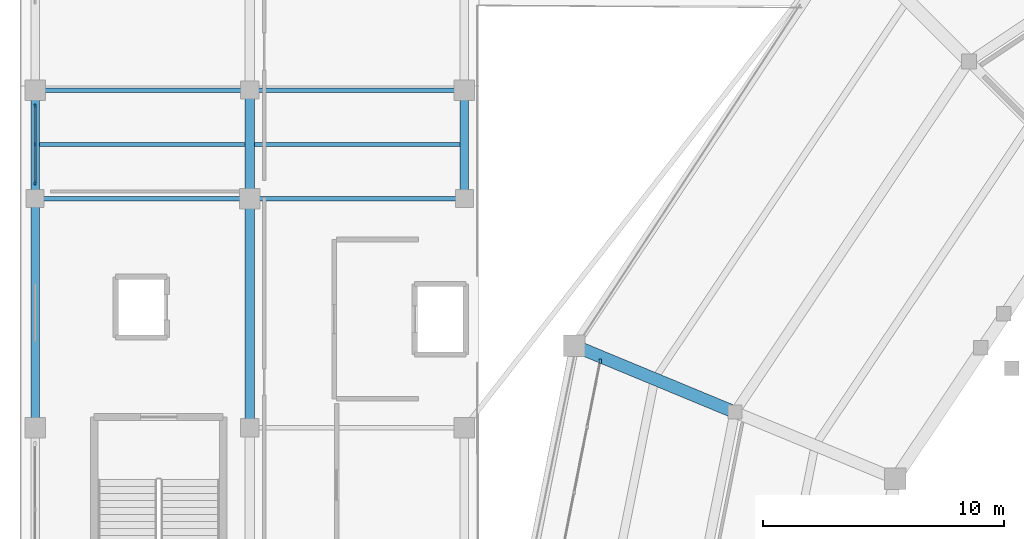
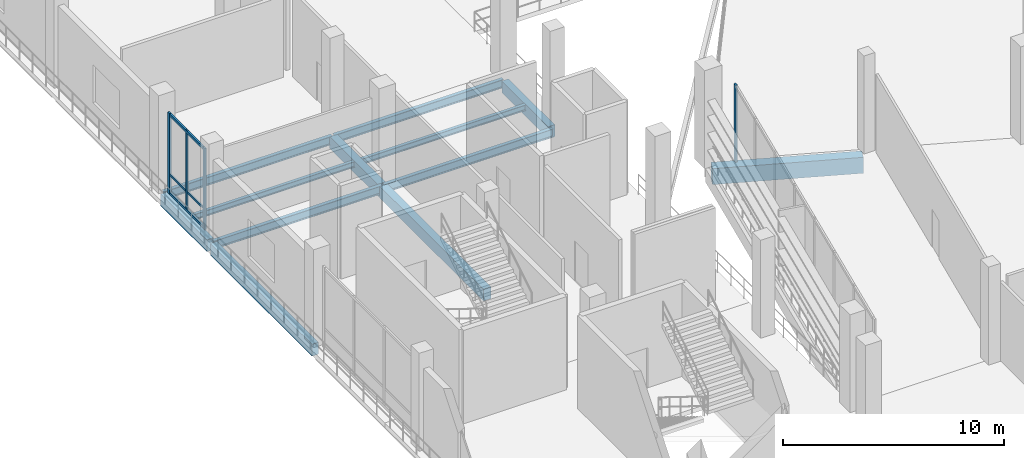
# One storey, part 31 of 114: 12 beams, 7 members, 2 elements without a shape of their own.
"""IFC4 building model written with IfcOpenShell, lengths in metres."""

import ifcopenshell
import ifcopenshell.guid

model = None  # the IFC model being written
_history = None  # IfcOwnerHistory: only IFC2X3 demands one
_inside = {}  # id of a spatial element -> (the spatial element, [elements in it])
_under = {}  # id of a project, library or spatial element -> (it, [spatial elements below it])
_declared = {}  # id of a project -> (the project, [libraries it declares])
_typed = {}  # id of a type object -> (the type object, [elements of that type])
_made_of = {}  # id of a material, layer set ... -> (it, [elements and type objects made of it])


def new_model(schema):
    """Start an empty IFC model of exactly this schema.

    Asked for "IFC4X3", IfcOpenShell would pick the latest addendum, in which some entities
    have other attributes; the version numbers below select the first issue.
    IFC2X3 requires an IfcOwnerHistory on every rooted entity: one is made here for all.
    """
    global model, _history
    if schema == "IFC4X3":
        model = ifcopenshell.file(schema_version=(4, 3, 0, 0))
    else:
        model = ifcopenshell.file(schema=schema)
    _inside.clear()
    _under.clear()
    _declared.clear()
    _typed.clear()
    _made_of.clear()
    _history = None
    if model.schema == "IFC2X3":
        org = make("IfcOrganization", Name="unknown")
        user = make(
            "IfcPersonAndOrganization",
            ThePerson=make("IfcPerson", FamilyName="unknown"),
            TheOrganization=org,
        )
        app = make(
            "IfcApplication",
            ApplicationDeveloper=org,
            Version="unknown",
            ApplicationFullName="unknown",
            ApplicationIdentifier="unknown",
        )
        _history = make(
            "IfcOwnerHistory",
            OwningUser=user,
            OwningApplication=app,
            ChangeAction="ADDED",
            CreationDate=0,
        )
    return model


def make(cls, **values):
    """One entity of the class cls with the attributes given. An attribute that is None is left unset."""
    return model.create_entity(
        cls, **{name: value for name, value in values.items() if value is not None}
    )


def rooted(cls, **values):
    """An entity with a GlobalId (a new one), such as an element, a storey or a relation."""
    return make(cls, GlobalId=ifcopenshell.guid.new(), OwnerHistory=_history, **values)


def si_unit(unit_type, name, prefix=None):
    """IfcSIUnit, for example si_unit("LENGTHUNIT", "METRE", prefix="MILLI")."""
    return make("IfcSIUnit", UnitType=unit_type, Prefix=prefix, Name=name)


def assignment(units):
    """IfcUnitAssignment: the units of a project."""
    return None if units is None else make("IfcUnitAssignment", Units=units)


def point(xyz):
    """IfcCartesianPoint."""
    return None if xyz is None else make("IfcCartesianPoint", Coordinates=xyz)


def direction(xyz):
    """IfcDirection."""
    return None if xyz is None else make("IfcDirection", DirectionRatios=xyz)


def frame(location, z_axis=None, x_axis=None):
    """IfcAxis2Placement3D, a coordinate frame: its origin and axes. An axis left out is left unset."""
    return make(
        "IfcAxis2Placement3D",
        Location=point(location),
        Axis=direction(z_axis),
        RefDirection=direction(x_axis),
    )


def frame_2d(location, x_axis=None):
    """IfcAxis2Placement2D, a coordinate frame in the plane: its origin and x axis."""
    return make(
        "IfcAxis2Placement2D", Location=point(location), RefDirection=direction(x_axis)
    )


def origin():
    """The frame at (0, 0, 0) with its axes left unset."""
    return frame((0.0, 0.0, 0.0))


def origin_2d():
    """The frame at (0, 0) in the plane with its x axis left unset."""
    return frame_2d((0.0, 0.0))


def place(relative_to, where):
    """IfcLocalPlacement: puts the frame where relative to a parent placement (None: the world)."""
    return make(
        "IfcLocalPlacement", PlacementRelTo=relative_to, RelativePlacement=where
    )


def context(
    kind, dimensions, precision=None, world=None, true_north=None, identifier=None
):
    """IfcGeometricRepresentationContext, for example the 3D "Model" context."""
    return make(
        "IfcGeometricRepresentationContext",
        ContextIdentifier=identifier,
        ContextType=kind,
        CoordinateSpaceDimension=dimensions,
        Precision=precision,
        WorldCoordinateSystem=world,
        TrueNorth=true_north,
    )


def subcontext(parent, identifier, kind, view, scale=None):
    """IfcGeometricRepresentationSubContext, for example "Body" below "Model"."""
    return make(
        "IfcGeometricRepresentationSubContext",
        ContextIdentifier=identifier,
        ContextType=kind,
        ParentContext=parent,
        TargetScale=scale,
        TargetView=view,
    )


def project(units=None, contexts=None):
    """IfcProject with its units and contexts."""
    return rooted(
        "IfcProject",
        Name="project",
        RepresentationContexts=contexts,
        UnitsInContext=assignment(units),
    )


def spatial(cls, under=None, at=None, **own):
    """A site, building, storey or space (cls), placed at a placement, below another one or the project."""
    s = rooted(cls, ObjectPlacement=at, **own)
    if under is not None:
        _under.setdefault(under.id(), (under, []))[1].append(s)
    return s


def profile(cls, at=None, kind="AREA", **sizes):
    """A parametric profile (cls). Its sizes go by their IFC names, for example OverallWidth=200.0."""
    return make(cls, ProfileType=kind, Position=at, **sizes)


def rectangle(**sizes):
    """IfcRectangleProfileDef."""
    return profile("IfcRectangleProfileDef", **sizes)


def i_section(**sizes):
    """IfcIShapeProfileDef."""
    return profile("IfcIShapeProfileDef", **sizes)


def extrude(swept, where, along, depth):
    """IfcExtrudedAreaSolid: the profile swept, set in the frame where, extruded along a direction by depth."""
    return make(
        "IfcExtrudedAreaSolid",
        SweptArea=swept,
        Position=where,
        ExtrudedDirection=direction(along),
        Depth=depth,
    )


def shape(context_of_items, identifier, shape_type, items):
    """IfcShapeRepresentation: the items that make up one representation, for example the "Body"."""
    return make(
        "IfcShapeRepresentation",
        ContextOfItems=context_of_items,
        RepresentationIdentifier=identifier,
        RepresentationType=shape_type,
        Items=items,
    )


def material(Name=None, Category=None):
    """IfcMaterial."""
    return make("IfcMaterial", Name=Name, Category=Category)


def material_profile(
    of_material, cross_section, Name=None, Category=None, Priority=None
):
    """IfcMaterialProfile: a cross section and its material."""
    return make(
        "IfcMaterialProfile",
        Name=Name,
        Material=of_material,
        Profile=cross_section,
        Priority=Priority,
        Category=Category,
    )


def profile_set(profiles, Name=None, composite=None):
    """IfcMaterialProfileSet."""
    return make(
        "IfcMaterialProfileSet",
        Name=Name,
        MaterialProfiles=profiles,
        CompositeProfile=composite,
    )


def made_of(thing, what):
    """Note that an element or type object is made of a material, layer set ...; save() writes the relation."""
    if what is not None:
        _made_of.setdefault(what.id(), (what, []))[1].append(thing)
    return thing


def type_object(cls, material=None, **own):
    """A type object (cls), such as IfcWallType, which elements share."""
    return made_of(rooted(cls, **own), material)


def element(
    cls,
    number,
    at=None,
    inside=None,
    cuts=None,
    type_object=None,
    material=None,
    context=None,
    identifier="Body",
    shape_type=None,
    held_by="IfcProductDefinitionShape",
    body=None,
    shapes=None,
    **own,
):
    """One element of the class cls, such as IfcWall. Its Tag is "e" and its number.

    at: its placement. inside: the storey or other place that contains it. cuts: it is an
    opening in that element (IfcRelVoidsElement). A single representation is given by context,
    identifier, shape_type and body (its items); several are given by shapes. held_by: the class
    of the entity that holds the representations. save() writes the other relations.
    """
    e = rooted(cls, Tag="e%d" % number, ObjectPlacement=at, **own)
    if body is not None:
        shapes = [shape(context, identifier, shape_type, body)]
    if shapes is not None:
        e.Representation = make(held_by, Representations=shapes)
    if inside is not None:
        _inside.setdefault(inside.id(), (inside, []))[1].append(e)
    if cuts is not None:
        rooted(
            "IfcRelVoidsElement", RelatingBuildingElement=cuts, RelatedOpeningElement=e
        )
    if type_object is not None:
        _typed.setdefault(type_object.id(), (type_object, []))[1].append(e)
    return made_of(e, material)


def aggregate(whole, parts):
    """IfcRelAggregates: a whole, such as a stair, and the parts it consists of."""
    return rooted("IfcRelAggregates", RelatingObject=whole, RelatedObjects=parts)


def save(model, path):
    """Write the relations noted so far, then the file.

    IfcRelAggregates (storeys below a building ...), IfcRelContainedInSpatialStructure (elements
    in a storey), IfcRelDefinesByType, IfcRelAssociatesMaterial and IfcRelDeclares: one each for
    every whole, place, type object, material and project.
    """
    for whole, parts in _under.values():
        aggregate(whole, parts)
    for where, things in _inside.values():
        rooted(
            "IfcRelContainedInSpatialStructure",
            RelatedElements=things,
            RelatingStructure=where,
        )
    for kind, things in _typed.values():
        rooted("IfcRelDefinesByType", RelatedObjects=things, RelatingType=kind)
    for what, things in _made_of.values():
        rooted("IfcRelAssociatesMaterial", RelatedObjects=things, RelatingMaterial=what)
    for by, libraries in _declared.values():
        rooted("IfcRelDeclares", RelatingContext=by, RelatedDefinitions=libraries)
    model.write(path)


model = new_model("IFC4")

# Units and contexts
model_context = context("Model", 3, precision=1e-05, world=origin(), true_north=direction((0.0, 1.0)))
body_context = subcontext(model_context, "Body", "Model", "MODEL_VIEW")
ifc_project = project(units=[si_unit("LENGTHUNIT", "METRE"), si_unit("AREAUNIT", "SQUARE_METRE"), si_unit("VOLUMEUNIT", "CUBIC_METRE"), si_unit("PLANEANGLEUNIT", "RADIAN"), si_unit("MASSUNIT", "GRAM", prefix="KILO")], contexts=[model_context])

# Site, building, storey
site_placement = place(None, origin())
site = spatial("IfcSite", under=ifc_project, at=site_placement, CompositionType="ELEMENT")
building_placement = place(site_placement, origin())
building = spatial("IfcBuilding", under=site, at=building_placement, Name="Candeia Ridge Stadium", CompositionType="ELEMENT")
storey_placement = place(building_placement, frame((0.0, 0.0, 5.39990234375)))
storey = spatial("IfcBuildingStorey", under=building, at=storey_placement, Name="L01", CompositionType="ELEMENT", Elevation=5.39990234375)

# Curtain wall, member
ifc_material_1 = material(Name="Aluminium Anodized Warm Bronze", Category="aluminium")
curtain_wall_type_1 = type_object("IfcCurtainWallType", Name="Concourse Recessed Unitised Curtain Wall", PredefinedType="NOTDEFINED", material=ifc_material_1)
curtain_wall_1_placement = place(storey_placement, origin())
curtain_wall_1 = element("IfcCurtainWall", 1, at=curtain_wall_1_placement, inside=storey, type_object=curtain_wall_type_1, Name="Unitised curtain wall CW-BWL-L01-10", PredefinedType="NOTDEFINED")
ifc_material_profile_1 = material_profile(ifc_material_1, rectangle(XDim=0.090087890625, YDim=0.179931640625, at=origin_2d()), Name="CWM-90x180", Category="aluminium")
ifc_profile_set_1 = profile_set([ifc_material_profile_1], Name="Aluminium Anodized Warm Bronze")
member_type_1 = type_object("IfcMemberType", Name="Curtain Wall Primary Mullion 90x180", PredefinedType="MULLION", material=ifc_profile_set_1)
member_1_placement = place(storey_placement, frame((24.03173828125, 114.263916015625, 0.0), z_axis=(0.0, 0.0, 1.0), x_axis=(1.0, 0.0, 0.0)))
member_1 = element("IfcMember", 2, at=member_1_placement, type_object=member_type_1, Name="Curtain wall mullion CW-BWL-L01-10-M0", PredefinedType="MULLION", context=body_context, shape_type="SweptSolid", body=[
    extrude(rectangle(XDim=0.090087890625, YDim=0.179931640625, at=origin_2d()), origin(), (0.0, 0.0, 1.0), 4.2451171875),
])
aggregate(curtain_wall_1, [member_1])

# Curtain wall, members
curtain_wall_type_2 = type_object("IfcCurtainWallType", Name="Cardinal Entrance Gate Tall Glazed Curtain Wall", PredefinedType="NOTDEFINED", material=ifc_material_1)
curtain_wall_2_placement = place(storey_placement, origin())
curtain_wall_2 = element("IfcCurtainWall", 3, at=curtain_wall_2_placement, inside=storey, type_object=curtain_wall_type_2, Name="Unitised curtain wall CW-WNG-L01-080", PredefinedType="NOTDEFINED")
member_2_placement = place(storey_placement, frame((0.60009765625, 121.659912109375, 0.0), z_axis=(0.0, 0.0, 1.0), x_axis=(1.0, 0.0, 0.0)))
member_2 = element("IfcMember", 4, at=member_2_placement, type_object=member_type_1, Name="Curtain wall mullion CW-WNG-L01-080-M0", PredefinedType="MULLION", context=body_context, shape_type="SweptSolid", body=[
    extrude(rectangle(XDim=0.090087890625, YDim=0.179931640625, at=origin_2d()), origin(), (0.0, 0.0, 1.0), 4.47509765625),
])
member_3_placement = place(storey_placement, frame((0.60009765625, 124.840087890625, 0.0), z_axis=(0.0, 0.0, 1.0), x_axis=(1.0, 0.0, 0.0)))
member_3 = element("IfcMember", 5, at=member_3_placement, type_object=member_type_1, Name="Curtain wall mullion CW-WNG-L01-080-M2", PredefinedType="MULLION", context=body_context, shape_type="SweptSolid", body=[
    extrude(rectangle(XDim=0.090087890625, YDim=0.179931640625, at=origin_2d()), origin(), (0.0, 0.0, 1.0), 4.47509765625),
])
ifc_material_profile_2 = material_profile(ifc_material_1, rectangle(XDim=0.074951171875, YDim=0.14990234375, at=origin_2d()), Name="CWM-75x150", Category="aluminium")
ifc_profile_set_2 = profile_set([ifc_material_profile_2], Name="Aluminium Anodized Warm Bronze")
member_type_2 = type_object("IfcMemberType", Name="Curtain Wall Secondary Mullion 75x150", PredefinedType="MULLION", material=ifc_profile_set_2)
member_4_placement = place(storey_placement, frame((0.60009765625, 123.25, 0.0), z_axis=(0.0, 0.0, 1.0), x_axis=(1.0, 0.0, 0.0)))
member_4 = element("IfcMember", 6, at=member_4_placement, type_object=member_type_2, Name="Curtain wall mullion CW-WNG-L01-080-M1", PredefinedType="MULLION", context=body_context, shape_type="SweptSolid", body=[
    extrude(rectangle(XDim=0.074951171875, YDim=0.14990234375, at=origin_2d()), origin(), (0.0, 0.0, 1.0), 4.47509765625),
])
ifc_material_profile_3 = material_profile(ifc_material_1, rectangle(XDim=0.074951171875, YDim=0.110107421875, at=origin_2d()), Name="CWT-75x110", Category="aluminium")
ifc_profile_set_3 = profile_set([ifc_material_profile_3], Name="Aluminium Anodized Warm Bronze")
member_type_3 = type_object("IfcMemberType", Name="Curtain Wall Secondary Transom 75x110", PredefinedType="USERDEFINED", material=ifc_profile_set_3)
member_5_placement = place(storey_placement, frame((0.60009765625, 121.659912109375, 1.10009765625), z_axis=(0.0, 1.0, 0.0), x_axis=(-1.0, 0.0, 0.0)))
member_5 = element("IfcMember", 7, at=member_5_placement, type_object=member_type_3, Name="Curtain wall transom CW-WNG-L01-080-T1", ObjectType="TRANSOM", PredefinedType="USERDEFINED", context=body_context, shape_type="SweptSolid", body=[
    extrude(rectangle(XDim=0.074951171875, YDim=0.110107421875, at=origin_2d()), origin(), (0.0, 0.0, 1.0), 3.18017578125),
])
ifc_material_profile_4 = material_profile(ifc_material_1, rectangle(XDim=0.090087890625, YDim=0.139892578125, at=origin_2d()), Name="CWT-90x140", Category="aluminium")
ifc_profile_set_4 = profile_set([ifc_material_profile_4], Name="Aluminium Anodized Warm Bronze")
member_type_4 = type_object("IfcMemberType", Name="Curtain Wall Transom 90x140", PredefinedType="USERDEFINED", material=ifc_profile_set_4)
member_6_placement = place(storey_placement, frame((0.60009765625, 121.659912109375, 0.070068359375), z_axis=(0.0, 1.0, 0.0), x_axis=(-1.0, 0.0, 0.0)))
member_6 = element("IfcMember", 8, at=member_6_placement, type_object=member_type_4, Name="Curtain wall transom CW-WNG-L01-080-T0", ObjectType="TRANSOM", PredefinedType="USERDEFINED", context=body_context, shape_type="SweptSolid", body=[
    extrude(rectangle(XDim=0.090087890625, YDim=0.139892578125, at=origin_2d()), origin(), (0.0, 0.0, 1.0), 3.18017578125),
])
member_7_placement = place(storey_placement, frame((0.60009765625, 121.659912109375, 4.405029296875), z_axis=(0.0, 1.0, 0.0), x_axis=(-1.0, 0.0, 0.0)))
member_7 = element("IfcMember", 9, at=member_7_placement, type_object=member_type_4, Name="Curtain wall transom CW-WNG-L01-080-T2", ObjectType="TRANSOM", PredefinedType="USERDEFINED", context=body_context, shape_type="SweptSolid", body=[
    extrude(rectangle(XDim=0.090087890625, YDim=0.139892578125, at=origin_2d()), origin(), (0.0, 0.0, 1.0), 3.18017578125),
])
aggregate(curtain_wall_2, [member_2, member_4, member_3, member_6, member_5, member_7])

# Beams
ifc_material_2 = material(Name="Concrete C45/55", Category="concrete")
ifc_material_profile_5 = material_profile(ifc_material_2, rectangle(XDim=0.52001953125, YDim=0.8798828125, at=origin_2d()), Name="RC520x880", Category="concrete")
ifc_profile_set_5 = profile_set([ifc_material_profile_5], Name="Concrete C45/55")
beam_type_1 = type_object("IfcBeamType", Name="Frame Girder RC520x880", PredefinedType="BEAM", material=ifc_profile_set_5)
beam_1_placement = place(storey_placement, frame((29.46240234375, 112.20556640625, -0.699951171875), z_axis=(-0.923880161031, 0.382681914982, 0.0), x_axis=(-0.382681914982, -0.923880161031, 0.0)))
element("IfcBeam", 10, at=beam_1_placement, inside=storey, type_object=beam_type_1, Name="Bowl radial girder BM-L01-0022", PredefinedType="BEAM", context=body_context, shape_type="SweptSolid", body=[
    extrude(rectangle(XDim=0.52001953125, YDim=0.8798828125, at=origin_2d()), origin(), (0.0, 0.0, 1.0), 6.8798828125),
])
ifc_material_3 = material(Name="Steel ASTM A572 Grade 50", Category="steel")
ifc_material_profile_6 = material_profile(ifc_material_3, i_section(OverallWidth=0.1669921875, OverallDepth=0.31689453125, WebThickness=0.007568359375, FlangeThickness=0.01318359375, FilletRadius=0.011962890625, at=origin_2d()), Name="W310x52", Category="steel")
ifc_profile_set_6 = profile_set([ifc_material_profile_6], Name="Steel ASTM A572 Grade 50")
beam_type_2 = type_object("IfcBeamType", Name="Pavilion Secondary Joist W310x52", PredefinedType="JOIST", material=ifc_profile_set_6)
for number, where, z_axis, x_axis, name in (
    (11, (0.7744140625, 123.25, -0.41845703125), (1.0, 0.0, 0.0), (0.0, 1.0, 0.0), "Wing secondary joist BM-L01-1083"),
    (12, (9.699462890625, 123.25, -0.41845703125), (1.0, 0.0, 0.0), (0.0, 1.0, 0.0), "Wing secondary joist BM-L01-1107"),
):
    element("IfcBeam", number, at=place(storey_placement, frame(where, z_axis=z_axis, x_axis=x_axis)), inside=storey, type_object=beam_type_2, Name=name, PredefinedType="JOIST", context=body_context, shape_type="SweptSolid", body=[
        extrude(i_section(OverallWidth=0.1669921875, OverallDepth=0.31689453125, WebThickness=0.007568359375, FlangeThickness=0.01318359375, FilletRadius=0.011962890625, at=origin_2d()), origin(), (0.0, 0.0, 1.0), 8.526123046875),
    ])
ifc_material_profile_7 = material_profile(ifc_material_3, i_section(OverallWidth=0.18994140625, OverallDepth=0.45703125, WebThickness=0.009033203125, FlangeThickness=0.014404296875, FilletRadius=0.012939453125, at=origin_2d()), Name="W460x74", Category="steel")
ifc_profile_set_7 = profile_set([ifc_material_profile_7], Name="Steel ASTM A572 Grade 50")
beam_type_3 = type_object("IfcBeamType", Name="Pavilion Steel Girder W460x74", PredefinedType="BEAM", material=ifc_profile_set_7)
for number, where, z_axis, x_axis, name in (
    (13, (0.64990234375, 121.0, -0.48828125), (1.0, 0.0, 0.0), (0.0, 1.0, 0.0), "Structural girder BM-L01-1082"),
    (14, (0.64990234375, 125.5, -0.48828125), (1.0, 0.0, 0.0), (0.0, 1.0, 0.0), "Structural girder BM-L01-1084"),
    (15, (9.550048828125, 121.0, -0.48828125), (1.0, 0.0, 0.0), (0.0, 1.0, 0.0), "Structural girder BM-L01-1106"),
    (16, (9.550048828125, 125.5, -0.48828125), (1.0, 0.0, 0.0), (0.0, 1.0, 0.0), "Structural girder BM-L01-1108"),
):
    element("IfcBeam", number, at=place(storey_placement, frame(where, z_axis=z_axis, x_axis=x_axis)), inside=storey, type_object=beam_type_3, Name=name, PredefinedType="BEAM", context=body_context, shape_type="SweptSolid", body=[
        extrude(i_section(OverallWidth=0.18994140625, OverallDepth=0.45703125, WebThickness=0.009033203125, FlangeThickness=0.014404296875, FilletRadius=0.012939453125, at=origin_2d()), origin(), (0.0, 0.0, 1.0), 8.800048828125),
    ])
ifc_material_4 = material(Name="Concrete C40/50", Category="concrete")
ifc_material_profile_8 = material_profile(ifc_material_4, rectangle(XDim=0.35009765625, YDim=0.64990234375, at=origin_2d()), Name="RC350x650", Category="concrete")
ifc_profile_set_8 = profile_set([ifc_material_profile_8], Name="Concrete C40/50")
beam_type_4 = type_object("IfcBeamType", Name="Spandrel Beam RC350x650", PredefinedType="SPANDREL", material=ifc_profile_set_8)
beam_2_placement = place(storey_placement, frame((0.60009765625, 111.659912109375, -0.5849609375), z_axis=(0.0, 1.0, 0.0), x_axis=(-1.0, 0.0, 0.0)))
element("IfcBeam", 17, at=beam_2_placement, inside=storey, type_object=beam_type_4, Name="Structural girder BM-L01-1043", PredefinedType="SPANDREL", context=body_context, shape_type="SweptSolid", body=[
    extrude(rectangle(XDim=0.35009765625, YDim=0.64990234375, at=origin_2d()), origin(), (0.0, 0.0, 1.0), 9.18017578125),
])
for number, where, z_axis, x_axis, name in (
    (18, (0.60009765625, 121.159912109375, -0.5849609375), (0.0, 1.0, 0.0), (-1.0, 0.0, 0.0), "Structural girder BM-L01-1044"),
    (19, (18.39990234375, 121.159912109375, -0.5849609375), (0.0, 1.0, 0.0), (-1.0, 0.0, 0.0), "Structural girder BM-L01-1068"),
):
    element("IfcBeam", number, at=place(storey_placement, frame(where, z_axis=z_axis, x_axis=x_axis)), inside=storey, type_object=beam_type_4, Name=name, PredefinedType="SPANDREL", context=body_context, shape_type="SweptSolid", body=[
        extrude(rectangle(XDim=0.35009765625, YDim=0.64990234375, at=origin_2d()), origin(), (0.0, 0.0, 1.0), 4.18017578125),
    ])
ifc_material_profile_9 = material_profile(ifc_material_4, rectangle(XDim=0.39990234375, YDim=0.64990234375, at=origin_2d()), Name="RC400x650", Category="concrete")
ifc_profile_set_9 = profile_set([ifc_material_profile_9], Name="Concrete C40/50")
beam_type_5 = type_object("IfcBeamType", Name="Wing Primary Girder RC400x650", PredefinedType="BEAM", material=ifc_profile_set_9)
beam_3_placement = place(storey_placement, frame((9.5, 111.550048828125, -0.5849609375), z_axis=(0.0, 1.0, 0.0), x_axis=(-1.0, 0.0, 0.0)))
element("IfcBeam", 20, at=beam_3_placement, inside=storey, type_object=beam_type_5, Name="Structural girder BM-L01-1055", PredefinedType="BEAM", context=body_context, shape_type="SweptSolid", body=[
    extrude(rectangle(XDim=0.39990234375, YDim=0.64990234375, at=origin_2d()), origin(), (0.0, 0.0, 1.0), 9.39990234375),
])
beam_4_placement = place(storey_placement, frame((9.5, 121.050048828125, -0.5849609375), z_axis=(0.0, 1.0, 0.0), x_axis=(-1.0, 0.0, 0.0)))
element("IfcBeam", 21, at=beam_4_placement, inside=storey, type_object=beam_type_5, Name="Structural girder BM-L01-1056", PredefinedType="BEAM", context=body_context, shape_type="SweptSolid", body=[
    extrude(rectangle(XDim=0.39990234375, YDim=0.64990234375, at=origin_2d()), origin(), (0.0, 0.0, 1.0), 4.39990234375),
])

save(model, "model.ifc")
